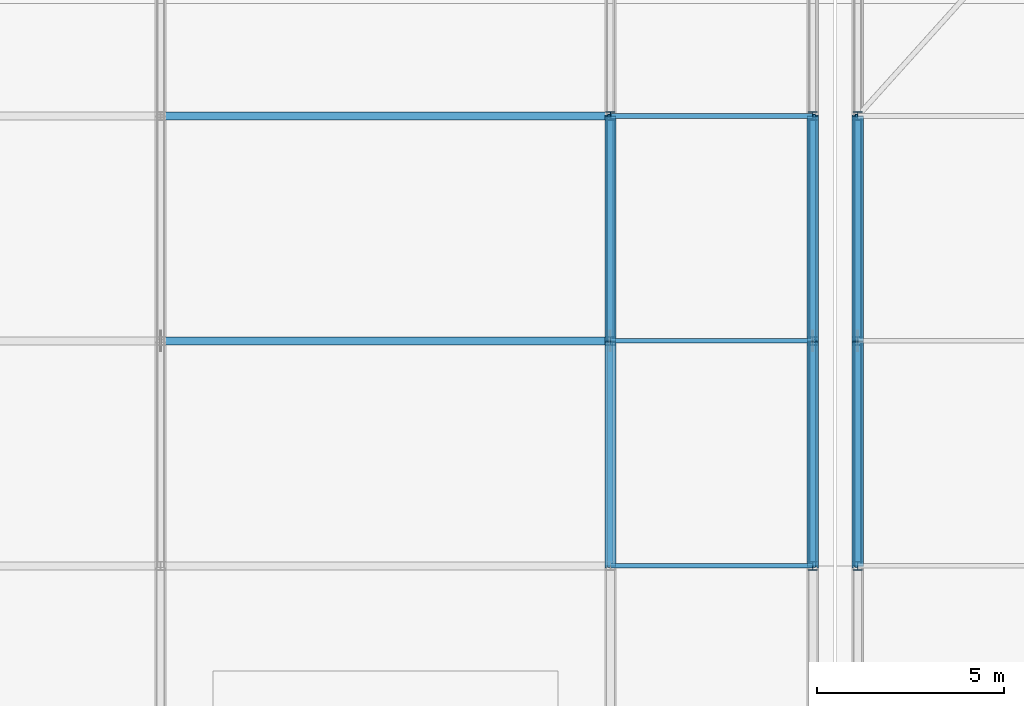
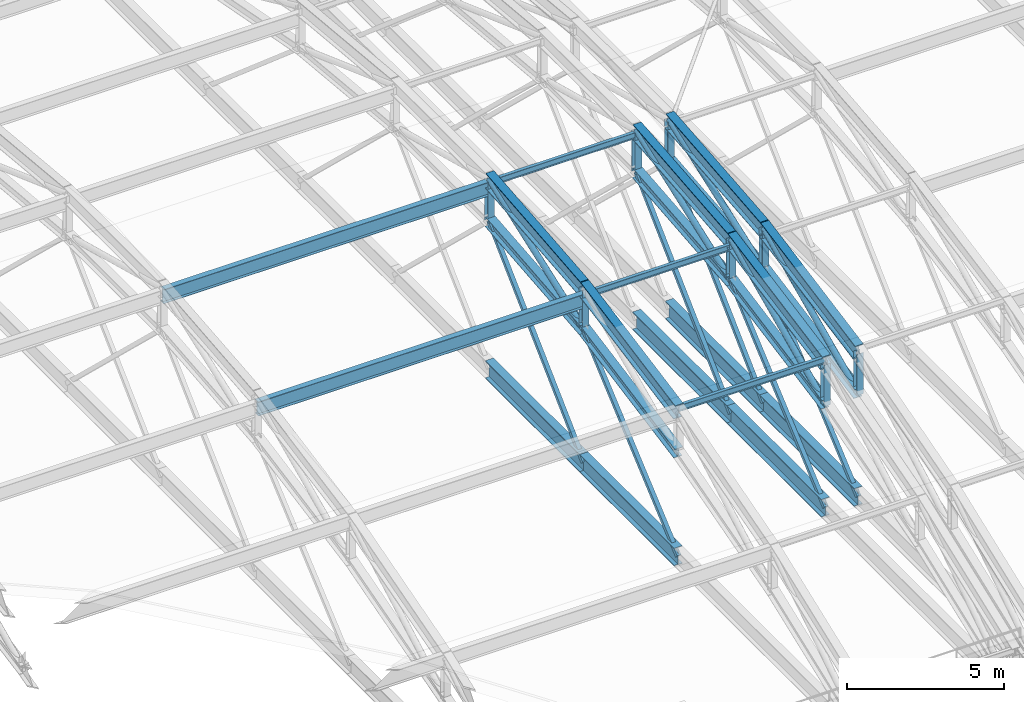
# One storey, part 87 of 204: 42 members.
"""IFC4 building model written with IfcOpenShell, lengths in metres."""

from ifc_helpers import new_model, si_unit, direction, frame, origin, origin_2d, place, context, subcontext, project, spatial, hollow_rectangle, hollow_circle, i_section, extrude, material, material_profile, profile_set, type_object, element, save


model = new_model("IFC4")

# Units and contexts
model_context = context("Model", 3, precision=1e-05, world=origin(), true_north=direction((0.0, 1.0)))
body_context = subcontext(model_context, "Body", "Model", "MODEL_VIEW")
ifc_project = project(units=[si_unit("LENGTHUNIT", "METRE"), si_unit("AREAUNIT", "SQUARE_METRE"), si_unit("VOLUMEUNIT", "CUBIC_METRE"), si_unit("PLANEANGLEUNIT", "RADIAN"), si_unit("MASSUNIT", "GRAM", prefix="KILO")], contexts=[model_context])

# Site, building, storey
site_placement = place(None, origin())
site = spatial("IfcSite", under=ifc_project, at=site_placement, CompositionType="ELEMENT")
building_placement = place(site_placement, origin())
building = spatial("IfcBuilding", under=site, at=building_placement, Name="Zilviju Railside Exhibition Hall", CompositionType="ELEMENT")
storey_placement = place(building_placement, frame((0.0, 0.0, 21.0)))
storey = spatial("IfcBuildingStorey", under=building, at=storey_placement, Name="RF", CompositionType="ELEMENT", Elevation=21.0)

# Members
ifc_material = material(Name="Steel S355J2", Category="steel")
ifc_material_profile_1 = material_profile(ifc_material, hollow_circle(Radius=0.109619140625, WallThickness=0.010009765625, at=origin_2d()), Name="CHS 219.1x10.0")
ifc_profile_set_1 = profile_set([ifc_material_profile_1], Name="Steel S355J2")
member_type_1 = type_object("IfcMemberType", Name="TR-BR-CHS219", PredefinedType="BRACE", material=ifc_profile_set_1)
member_1_placement = place(storey_placement, frame((120.0, 102.0, 1.5556640625), z_axis=(0.0, 0.940243888255, 0.340501733621), x_axis=(-1.0, 0.0, 0.0)))
element("IfcMember", 1, at=member_1_placement, inside=storey, type_object=member_type_1, Name="V2 Parabolic Arch Web Diagonal X=120.0 P4", PredefinedType="BRACE", context=body_context, shape_type="SweptSolid", body=[
    extrude(hollow_circle(Radius=0.109619140625, WallThickness=0.010009765625, at=origin_2d()), origin(), (0.0, 0.0, 1.0), 6.38134765625),
])
member_2_placement = place(storey_placement, frame((125.39990234375, 96.0, 0.409912109375), z_axis=(0.0, 0.909316915895, 0.416104249518), x_axis=(-1.0, 0.0, 0.0)))
element("IfcMember", 2, at=member_2_placement, inside=storey, type_object=member_type_1, Name="V2 Parabolic Arch Web Diagonal X=125.4 P3", PredefinedType="BRACE", context=body_context, shape_type="SweptSolid", body=[
    extrude(hollow_circle(Radius=0.109619140625, WallThickness=0.010009765625, at=origin_2d()), origin(), (0.0, 0.0, 1.0), 6.598388671875),
])
member_3_placement = place(storey_placement, frame((125.39990234375, 102.0, 1.5556640625), z_axis=(0.0, 0.940243888255, 0.340501733621), x_axis=(-1.0, 0.0, 0.0)))
element("IfcMember", 3, at=member_3_placement, inside=storey, type_object=member_type_1, Name="V2 Parabolic Arch Web Diagonal X=125.4 P4", PredefinedType="BRACE", context=body_context, shape_type="SweptSolid", body=[
    extrude(hollow_circle(Radius=0.109619140625, WallThickness=0.010009765625, at=origin_2d()), origin(), (0.0, 0.0, 1.0), 6.38134765625),
])
member_4_placement = place(storey_placement, frame((126.60009765625, 96.0, 0.409912109375), z_axis=(0.0, 0.909316915895, 0.416104249518), x_axis=(-1.0, 0.0, 0.0)))
element("IfcMember", 4, at=member_4_placement, inside=storey, type_object=member_type_1, Name="V2 Parabolic Arch Web Diagonal X=126.6 P3", PredefinedType="BRACE", context=body_context, shape_type="SweptSolid", body=[
    extrude(hollow_circle(Radius=0.109619140625, WallThickness=0.010009765625, at=origin_2d()), origin(), (0.0, 0.0, 1.0), 6.598388671875),
])
member_5_placement = place(storey_placement, frame((126.60009765625, 102.0, 1.5556640625), z_axis=(0.0, 0.940243888255, 0.340501733621), x_axis=(-1.0, 0.0, 0.0)))
element("IfcMember", 5, at=member_5_placement, inside=storey, type_object=member_type_1, Name="V2 Parabolic Arch Web Diagonal X=126.6 P4", PredefinedType="BRACE", context=body_context, shape_type="SweptSolid", body=[
    extrude(hollow_circle(Radius=0.109619140625, WallThickness=0.010009765625, at=origin_2d()), origin(), (0.0, 0.0, 1.0), 6.38134765625),
])
ifc_material_profile_2 = material_profile(ifc_material, i_section(OverallWidth=0.300048828125, OverallDepth=0.39990234375, WebThickness=0.013427734375, FlangeThickness=0.02392578125, at=origin_2d()), Name="HEB 400")
ifc_profile_set_2 = profile_set([ifc_material_profile_2], Name="Steel S355J2")
member_type_2 = type_object("IfcMemberType", Name="TR-CH-HEB400", PredefinedType="CHORD", material=ifc_profile_set_2)
member_6_placement = place(storey_placement, frame((120.0, 96.0, 0.409912109375), z_axis=(0.0, 0.98225135267, 0.187569400964), x_axis=(-1.0, 0.0, 0.0)))
element("IfcMember", 6, at=member_6_placement, inside=storey, type_object=member_type_2, Name="V2 Parabolic Arch Bottom Chord X=120.0 P3", PredefinedType="CHORD", context=body_context, shape_type="SweptSolid", body=[
    extrude(i_section(OverallWidth=0.300048828125, OverallDepth=0.39990234375, WebThickness=0.013427734375, FlangeThickness=0.02392578125, at=origin_2d()), origin(), (0.0, 0.0, 1.0), 6.1083984375),
])
member_7_placement = place(storey_placement, frame((120.0, 102.0, 1.5556640625), z_axis=(0.0, 0.995474695123, 0.095027003367), x_axis=(-1.0, 0.0, 0.0)))
element("IfcMember", 7, at=member_7_placement, inside=storey, type_object=member_type_2, Name="V2 Parabolic Arch Bottom Chord X=120.0 P4", PredefinedType="CHORD", context=body_context, shape_type="SweptSolid", body=[
    extrude(i_section(OverallWidth=0.300048828125, OverallDepth=0.39990234375, WebThickness=0.013427734375, FlangeThickness=0.02392578125, at=origin_2d()), origin(), (0.0, 0.0, 1.0), 6.02734375),
])
member_8_placement = place(storey_placement, frame((125.39990234375, 96.0, 0.409912109375), z_axis=(0.0, 0.98225135267, 0.187569400964), x_axis=(-1.0, 0.0, 0.0)))
element("IfcMember", 8, at=member_8_placement, inside=storey, type_object=member_type_2, Name="V2 Parabolic Arch Bottom Chord X=125.4 P3", PredefinedType="CHORD", context=body_context, shape_type="SweptSolid", body=[
    extrude(i_section(OverallWidth=0.300048828125, OverallDepth=0.39990234375, WebThickness=0.013427734375, FlangeThickness=0.02392578125, at=origin_2d()), origin(), (0.0, 0.0, 1.0), 6.1083984375),
])
member_9_placement = place(storey_placement, frame((125.39990234375, 102.0, 1.5556640625), z_axis=(0.0, 0.995474695123, 0.095027003367), x_axis=(-1.0, 0.0, 0.0)))
element("IfcMember", 9, at=member_9_placement, inside=storey, type_object=member_type_2, Name="V2 Parabolic Arch Bottom Chord X=125.4 P4", PredefinedType="CHORD", context=body_context, shape_type="SweptSolid", body=[
    extrude(i_section(OverallWidth=0.300048828125, OverallDepth=0.39990234375, WebThickness=0.013427734375, FlangeThickness=0.02392578125, at=origin_2d()), origin(), (0.0, 0.0, 1.0), 6.02734375),
])
member_10_placement = place(storey_placement, frame((126.60009765625, 96.0, 0.409912109375), z_axis=(0.0, 0.98225135267, 0.187569400964), x_axis=(-1.0, 0.0, 0.0)))
element("IfcMember", 10, at=member_10_placement, inside=storey, type_object=member_type_2, Name="V2 Parabolic Arch Bottom Chord X=126.6 P3", PredefinedType="CHORD", context=body_context, shape_type="SweptSolid", body=[
    extrude(i_section(OverallWidth=0.300048828125, OverallDepth=0.39990234375, WebThickness=0.013427734375, FlangeThickness=0.02392578125, at=origin_2d()), origin(), (0.0, 0.0, 1.0), 6.1083984375),
])
member_11_placement = place(storey_placement, frame((126.60009765625, 102.0, 1.5556640625), z_axis=(0.0, 0.995474695123, 0.095027003367), x_axis=(-1.0, 0.0, 0.0)))
element("IfcMember", 11, at=member_11_placement, inside=storey, type_object=member_type_2, Name="V2 Parabolic Arch Bottom Chord X=126.6 P4", PredefinedType="CHORD", context=body_context, shape_type="SweptSolid", body=[
    extrude(i_section(OverallWidth=0.300048828125, OverallDepth=0.39990234375, WebThickness=0.013427734375, FlangeThickness=0.02392578125, at=origin_2d()), origin(), (0.0, 0.0, 1.0), 6.02734375),
])
ifc_material_profile_3 = material_profile(ifc_material, i_section(OverallWidth=0.300048828125, OverallDepth=0.60009765625, WebThickness=0.015380859375, FlangeThickness=0.030029296875, at=origin_2d()), Name="HEB 600")
ifc_profile_set_3 = profile_set([ifc_material_profile_3], Name="Steel S355J2")
member_type_3 = type_object("IfcMemberType", Name="TR-CH-HEB600", PredefinedType="CHORD", material=ifc_profile_set_3)
member_12_placement = place(storey_placement, frame((120.0, 96.0, 2.009765625), z_axis=(0.0, 0.98225135267, 0.187569400964), x_axis=(-1.0, 0.0, 0.0)))
element("IfcMember", 12, at=member_12_placement, inside=storey, type_object=member_type_3, Name="V2 Parabolic Arch Top Chord X=120.0 P3", PredefinedType="CHORD", context=body_context, shape_type="SweptSolid", body=[
    extrude(i_section(OverallWidth=0.300048828125, OverallDepth=0.60009765625, WebThickness=0.015380859375, FlangeThickness=0.030029296875, at=origin_2d()), origin(), (0.0, 0.0, 1.0), 6.1083984375),
])
member_13_placement = place(storey_placement, frame((120.0, 102.0, 3.155517578125), z_axis=(0.0, 0.995470862587, 0.095067143331), x_axis=(-1.0, 0.0, 0.0)))
element("IfcMember", 13, at=member_13_placement, inside=storey, type_object=member_type_3, Name="V2 Parabolic Arch Top Chord X=120.0 P4", PredefinedType="CHORD", context=body_context, shape_type="SweptSolid", body=[
    extrude(i_section(OverallWidth=0.300048828125, OverallDepth=0.60009765625, WebThickness=0.015380859375, FlangeThickness=0.030029296875, at=origin_2d()), origin(), (0.0, 0.0, 1.0), 6.02734375),
])
member_14_placement = place(storey_placement, frame((125.39990234375, 96.0, 2.009765625), z_axis=(0.0, 0.98225135267, 0.187569400964), x_axis=(-1.0, 0.0, 0.0)))
element("IfcMember", 14, at=member_14_placement, inside=storey, type_object=member_type_3, Name="V2 Parabolic Arch Top Chord X=125.4 P3", PredefinedType="CHORD", context=body_context, shape_type="SweptSolid", body=[
    extrude(i_section(OverallWidth=0.300048828125, OverallDepth=0.60009765625, WebThickness=0.015380859375, FlangeThickness=0.030029296875, at=origin_2d()), origin(), (0.0, 0.0, 1.0), 6.1083984375),
])
member_15_placement = place(storey_placement, frame((125.39990234375, 102.0, 3.155517578125), z_axis=(0.0, 0.995470862587, 0.095067143331), x_axis=(-1.0, 0.0, 0.0)))
element("IfcMember", 15, at=member_15_placement, inside=storey, type_object=member_type_3, Name="V2 Parabolic Arch Top Chord X=125.4 P4", PredefinedType="CHORD", context=body_context, shape_type="SweptSolid", body=[
    extrude(i_section(OverallWidth=0.300048828125, OverallDepth=0.60009765625, WebThickness=0.015380859375, FlangeThickness=0.030029296875, at=origin_2d()), origin(), (0.0, 0.0, 1.0), 6.02734375),
])
member_16_placement = place(storey_placement, frame((126.60009765625, 96.0, 2.009765625), z_axis=(0.0, 0.98225135267, 0.187569400964), x_axis=(-1.0, 0.0, 0.0)))
element("IfcMember", 16, at=member_16_placement, inside=storey, type_object=member_type_3, Name="V2 Parabolic Arch Top Chord X=126.6 P3", PredefinedType="CHORD", context=body_context, shape_type="SweptSolid", body=[
    extrude(i_section(OverallWidth=0.300048828125, OverallDepth=0.60009765625, WebThickness=0.015380859375, FlangeThickness=0.030029296875, at=origin_2d()), origin(), (0.0, 0.0, 1.0), 6.1083984375),
])
member_17_placement = place(storey_placement, frame((126.60009765625, 102.0, 3.155517578125), z_axis=(0.0, 0.995470862587, 0.095067143331), x_axis=(-1.0, 0.0, 0.0)))
element("IfcMember", 17, at=member_17_placement, inside=storey, type_object=member_type_3, Name="V2 Parabolic Arch Top Chord X=126.6 P4", PredefinedType="CHORD", context=body_context, shape_type="SweptSolid", body=[
    extrude(i_section(OverallWidth=0.300048828125, OverallDepth=0.60009765625, WebThickness=0.015380859375, FlangeThickness=0.030029296875, at=origin_2d()), origin(), (0.0, 0.0, 1.0), 6.02734375),
])
ifc_material_profile_4 = material_profile(ifc_material, i_section(OverallWidth=0.239990234375, OverallDepth=0.22998046875, WebThickness=0.007568359375, FlangeThickness=0.011962890625, at=origin_2d()), Name="HEA 240")
ifc_profile_set_4 = profile_set([ifc_material_profile_4], Name="Steel S355J2")
member_type_4 = type_object("IfcMemberType", Name="TR-POST-HEA240", PredefinedType="POST", material=ifc_profile_set_4)
member_18_placement = place(storey_placement, frame((120.0, 102.0, 1.5556640625), z_axis=(0.0, 0.0, 1.0), x_axis=(1.0, 0.0, 0.0)))
element("IfcMember", 18, at=member_18_placement, inside=storey, type_object=member_type_4, Name="V2 Parabolic Arch Web Post X=120.0 N3", PredefinedType="POST", context=body_context, shape_type="SweptSolid", body=[
    extrude(i_section(OverallWidth=0.239990234375, OverallDepth=0.22998046875, WebThickness=0.007568359375, FlangeThickness=0.011962890625, at=origin_2d()), origin(), (0.0, 0.0, 1.0), 1.599853515625),
])
member_19_placement = place(storey_placement, frame((120.0, 108.0, 2.12841796875), z_axis=(0.0, 0.0, 1.0), x_axis=(1.0, 0.0, 0.0)))
element("IfcMember", 19, at=member_19_placement, inside=storey, type_object=member_type_4, Name="V2 Parabolic Arch Web Post X=120.0 N4", PredefinedType="POST", context=body_context, shape_type="SweptSolid", body=[
    extrude(i_section(OverallWidth=0.239990234375, OverallDepth=0.22998046875, WebThickness=0.007568359375, FlangeThickness=0.011962890625, at=origin_2d()), origin(), (0.0, 0.0, 1.0), 1.60009765625),
])
for number, where, z_axis, x_axis, name in (
    (20, (125.39990234375, 96.0, 0.409912109375), (0.0, 0.0, 1.0), (1.0, 0.0, 0.0), "V2 Parabolic Arch Web Post X=125.4 N2"),
    (21, (125.39990234375, 102.0, 1.5556640625), (0.0, 0.0, 1.0), (1.0, 0.0, 0.0), "V2 Parabolic Arch Web Post X=125.4 N3"),
):
    element("IfcMember", number, at=place(storey_placement, frame(where, z_axis=z_axis, x_axis=x_axis)), inside=storey, type_object=member_type_4, Name=name, PredefinedType="POST", context=body_context, shape_type="SweptSolid", body=[
        extrude(i_section(OverallWidth=0.239990234375, OverallDepth=0.22998046875, WebThickness=0.007568359375, FlangeThickness=0.011962890625, at=origin_2d()), origin(), (0.0, 0.0, 1.0), 1.599853515625),
    ])
member_20_placement = place(storey_placement, frame((125.39990234375, 108.0, 2.12841796875), z_axis=(0.0, 0.0, 1.0), x_axis=(1.0, 0.0, 0.0)))
element("IfcMember", 22, at=member_20_placement, inside=storey, type_object=member_type_4, Name="V2 Parabolic Arch Web Post X=125.4 N4", PredefinedType="POST", context=body_context, shape_type="SweptSolid", body=[
    extrude(i_section(OverallWidth=0.239990234375, OverallDepth=0.22998046875, WebThickness=0.007568359375, FlangeThickness=0.011962890625, at=origin_2d()), origin(), (0.0, 0.0, 1.0), 1.60009765625),
])
for number, where, z_axis, x_axis, name in (
    (23, (126.60009765625, 96.0, 0.409912109375), (0.0, 0.0, 1.0), (1.0, 0.0, 0.0), "V2 Parabolic Arch Web Post X=126.6 N2"),
    (24, (126.60009765625, 102.0, 1.5556640625), (0.0, 0.0, 1.0), (1.0, 0.0, 0.0), "V2 Parabolic Arch Web Post X=126.6 N3"),
):
    element("IfcMember", number, at=place(storey_placement, frame(where, z_axis=z_axis, x_axis=x_axis)), inside=storey, type_object=member_type_4, Name=name, PredefinedType="POST", context=body_context, shape_type="SweptSolid", body=[
        extrude(i_section(OverallWidth=0.239990234375, OverallDepth=0.22998046875, WebThickness=0.007568359375, FlangeThickness=0.011962890625, at=origin_2d()), origin(), (0.0, 0.0, 1.0), 1.599853515625),
    ])
member_21_placement = place(storey_placement, frame((126.60009765625, 108.0, 2.12841796875), z_axis=(0.0, 0.0, 1.0), x_axis=(1.0, 0.0, 0.0)))
element("IfcMember", 25, at=member_21_placement, inside=storey, type_object=member_type_4, Name="V2 Parabolic Arch Web Post X=126.6 N4", PredefinedType="POST", context=body_context, shape_type="SweptSolid", body=[
    extrude(i_section(OverallWidth=0.239990234375, OverallDepth=0.22998046875, WebThickness=0.007568359375, FlangeThickness=0.011962890625, at=origin_2d()), origin(), (0.0, 0.0, 1.0), 1.60009765625),
])
ifc_material_profile_5 = material_profile(ifc_material, hollow_rectangle(XDim=0.14990234375, YDim=0.14990234375, WallThickness=0.008056640625, at=origin_2d()), Name="SHS 150x150x8.0")
ifc_profile_set_5 = profile_set([ifc_material_profile_5], Name="Steel S355J2")
member_type_5 = type_object("IfcMemberType", Name="TR-POST-SHS150", PredefinedType="POST", material=ifc_profile_set_5)
member_22_placement = place(storey_placement, frame((120.0, 96.0, -3.60009765625), z_axis=(0.0, 0.758449992634, 0.651731239602), x_axis=(-1.0, 0.0, 0.0)))
element("IfcMember", 26, at=member_22_placement, inside=storey, type_object=member_type_5, Name="V2 Arch Tie Hanger X=120.0 N2", PredefinedType="POST", context=body_context, shape_type="SweptSolid", body=[
    extrude(hollow_rectangle(XDim=0.14990234375, YDim=0.14990234375, WallThickness=0.008056640625, at=origin_2d()), origin(), (0.0, 0.0, 1.0), 7.910888671875),
])
member_23_placement = place(storey_placement, frame((120.0, 102.0, -3.60009765625), z_axis=(0.0, 0.723280707221, 0.690554138763), x_axis=(-1.0, 0.0, 0.0)))
element("IfcMember", 27, at=member_23_placement, inside=storey, type_object=member_type_5, Name="V2 Arch Tie Hanger X=120.0 N3", PredefinedType="POST", context=body_context, shape_type="SweptSolid", body=[
    extrude(hollow_rectangle(XDim=0.14990234375, YDim=0.14990234375, WallThickness=0.008056640625, at=origin_2d()), origin(), (0.0, 0.0, 1.0), 8.295654296875),
])
member_24_placement = place(storey_placement, frame((125.39990234375, 96.0, -3.60009765625), z_axis=(0.0, 0.758449992634, 0.651731239602), x_axis=(-1.0, 0.0, 0.0)))
element("IfcMember", 28, at=member_24_placement, inside=storey, type_object=member_type_5, Name="V2 Arch Tie Hanger X=125.4 N2", PredefinedType="POST", context=body_context, shape_type="SweptSolid", body=[
    extrude(hollow_rectangle(XDim=0.14990234375, YDim=0.14990234375, WallThickness=0.008056640625, at=origin_2d()), origin(), (0.0, 0.0, 1.0), 7.910888671875),
])
member_25_placement = place(storey_placement, frame((125.39990234375, 102.0, -3.60009765625), z_axis=(0.0, 0.723280707221, 0.690554138763), x_axis=(-1.0, 0.0, 0.0)))
element("IfcMember", 29, at=member_25_placement, inside=storey, type_object=member_type_5, Name="V2 Arch Tie Hanger X=125.4 N3", PredefinedType="POST", context=body_context, shape_type="SweptSolid", body=[
    extrude(hollow_rectangle(XDim=0.14990234375, YDim=0.14990234375, WallThickness=0.008056640625, at=origin_2d()), origin(), (0.0, 0.0, 1.0), 8.295654296875),
])
member_26_placement = place(storey_placement, frame((126.60009765625, 96.0, -3.60009765625), z_axis=(0.0, 0.758449992634, 0.651731239602), x_axis=(-1.0, 0.0, 0.0)))
element("IfcMember", 30, at=member_26_placement, inside=storey, type_object=member_type_5, Name="V2 Arch Tie Hanger X=126.6 N2", PredefinedType="POST", context=body_context, shape_type="SweptSolid", body=[
    extrude(hollow_rectangle(XDim=0.14990234375, YDim=0.14990234375, WallThickness=0.008056640625, at=origin_2d()), origin(), (0.0, 0.0, 1.0), 7.910888671875),
])
member_27_placement = place(storey_placement, frame((126.60009765625, 102.0, -3.60009765625), z_axis=(0.0, 0.723280707221, 0.690554138763), x_axis=(-1.0, 0.0, 0.0)))
element("IfcMember", 31, at=member_27_placement, inside=storey, type_object=member_type_5, Name="V2 Arch Tie Hanger X=126.6 N3", PredefinedType="POST", context=body_context, shape_type="SweptSolid", body=[
    extrude(hollow_rectangle(XDim=0.14990234375, YDim=0.14990234375, WallThickness=0.008056640625, at=origin_2d()), origin(), (0.0, 0.0, 1.0), 8.295654296875),
])
ifc_material_profile_6 = material_profile(ifc_material, i_section(OverallWidth=0.1201171875, OverallDepth=0.239990234375, WebThickness=0.006103515625, FlangeThickness=0.009765625, at=origin_2d()), Name="IPE 240")
ifc_profile_set_6 = profile_set([ifc_material_profile_6], Name="Steel S355J2")
member_type_6 = type_object("IfcMemberType", Name="TR-PUR-IPE240", PredefinedType="PURLIN", material=ifc_profile_set_6)
for number, where, z_axis, x_axis, name in (
    (32, (120.0, 96.0, 2.14306640625), (1.0, 0.0, 0.0), (0.0, 1.0, 0.0), "V2 Barrel Vault Roof Purlin Y=96.0 (120.0..125.4)"),
    (33, (120.0, 102.0, 2.877197265625), (1.0, 0.0, 0.0), (0.0, 1.0, 0.0), "V2 Barrel Vault Roof Purlin Y=102.0 (120.0..125.4)"),
    (34, (120.0, 108.0, 3.593017578125), (1.0, 0.0, 0.0), (0.0, 1.0, 0.0), "V2 Barrel Vault Roof Purlin Y=108.0 (120.0..125.4)"),
):
    element("IfcMember", number, at=place(storey_placement, frame(where, z_axis=z_axis, x_axis=x_axis)), inside=storey, type_object=member_type_6, Name=name, PredefinedType="PURLIN", context=body_context, shape_type="SweptSolid", body=[
        extrude(i_section(OverallWidth=0.1201171875, OverallDepth=0.239990234375, WebThickness=0.006103515625, FlangeThickness=0.009765625, at=origin_2d()), origin(), (0.0, 0.0, 1.0), 5.39990234375),
    ])
ifc_material_profile_7 = material_profile(ifc_material, i_section(OverallWidth=0.2099609375, OverallDepth=0.550048828125, WebThickness=0.010986328125, FlangeThickness=0.01708984375, at=origin_2d()), Name="IPE 550")
ifc_profile_set_7 = profile_set([ifc_material_profile_7], Name="Steel S355J2")
member_type_7 = type_object("IfcMemberType", Name="TR-PUR-IPE550", PredefinedType="PURLIN", material=ifc_profile_set_7)
for number, where, z_axis, x_axis, name in (
    (35, (108.0, 102.0, 2.716796875), (1.0, 0.0, 0.0), (0.0, 1.0, 0.0), "V2 Barrel Vault Roof Purlin Y=102.0 (108.0..120.0)"),
    (36, (108.0, 108.0, 3.4326171875), (1.0, 0.0, 0.0), (0.0, 1.0, 0.0), "V2 Barrel Vault Roof Purlin Y=108.0 (108.0..120.0)"),
):
    element("IfcMember", number, at=place(storey_placement, frame(where, z_axis=z_axis, x_axis=x_axis)), inside=storey, type_object=member_type_7, Name=name, PredefinedType="PURLIN", context=body_context, shape_type="SweptSolid", body=[
        extrude(i_section(OverallWidth=0.2099609375, OverallDepth=0.550048828125, WebThickness=0.010986328125, FlangeThickness=0.01708984375, at=origin_2d()), origin(), (0.0, 0.0, 1.0), 12.0),
    ])
ifc_material_profile_8 = material_profile(ifc_material, i_section(OverallWidth=0.300048828125, OverallDepth=0.699951171875, WebThickness=0.01708984375, FlangeThickness=0.031982421875, at=origin_2d()), Name="HEB 700")
ifc_profile_set_8 = profile_set([ifc_material_profile_8], Name="Steel S355J2")
member_type_8 = type_object("IfcMemberType", Name="TR-TIE-HEB700", PredefinedType="CHORD", material=ifc_profile_set_8)
for number, where, z_axis, x_axis, name in (
    (37, (120.0, 96.0, -3.60009765625), (0.0, 1.0, 0.0), (-1.0, 0.0, 0.0), "V2 Arch Tie Member X=120.0"),
    (38, (120.0, 102.0, -3.60009765625), (0.0, 1.0, 0.0), (-1.0, 0.0, 0.0), "V2 Arch Tie Member X=120.0"),
    (39, (125.39990234375, 96.0, -3.60009765625), (0.0, 1.0, 0.0), (-1.0, 0.0, 0.0), "V2 Arch Tie Member X=125.4"),
    (40, (125.39990234375, 102.0, -3.60009765625), (0.0, 1.0, 0.0), (-1.0, 0.0, 0.0), "V2 Arch Tie Member X=125.4"),
    (41, (126.60009765625, 96.0, -3.60009765625), (0.0, 1.0, 0.0), (-1.0, 0.0, 0.0), "V2 Arch Tie Member X=126.6"),
    (42, (126.60009765625, 102.0, -3.60009765625), (0.0, 1.0, 0.0), (-1.0, 0.0, 0.0), "V2 Arch Tie Member X=126.6"),
):
    element("IfcMember", number, at=place(storey_placement, frame(where, z_axis=z_axis, x_axis=x_axis)), inside=storey, type_object=member_type_8, Name=name, PredefinedType="CHORD", context=body_context, shape_type="SweptSolid", body=[
        extrude(i_section(OverallWidth=0.300048828125, OverallDepth=0.699951171875, WebThickness=0.01708984375, FlangeThickness=0.031982421875, at=origin_2d()), origin(), (0.0, 0.0, 1.0), 6.0),
    ])

save(model, "model.ifc")
